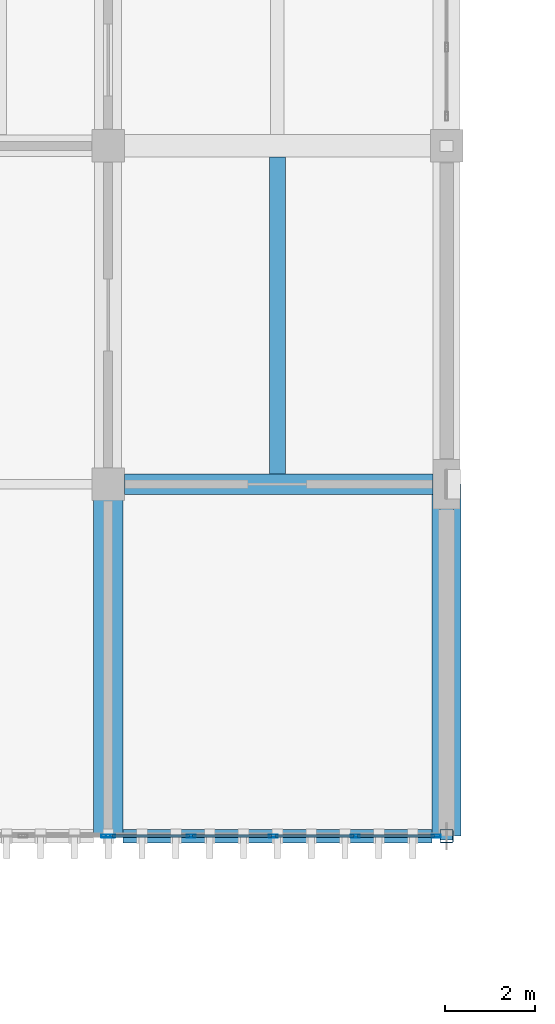
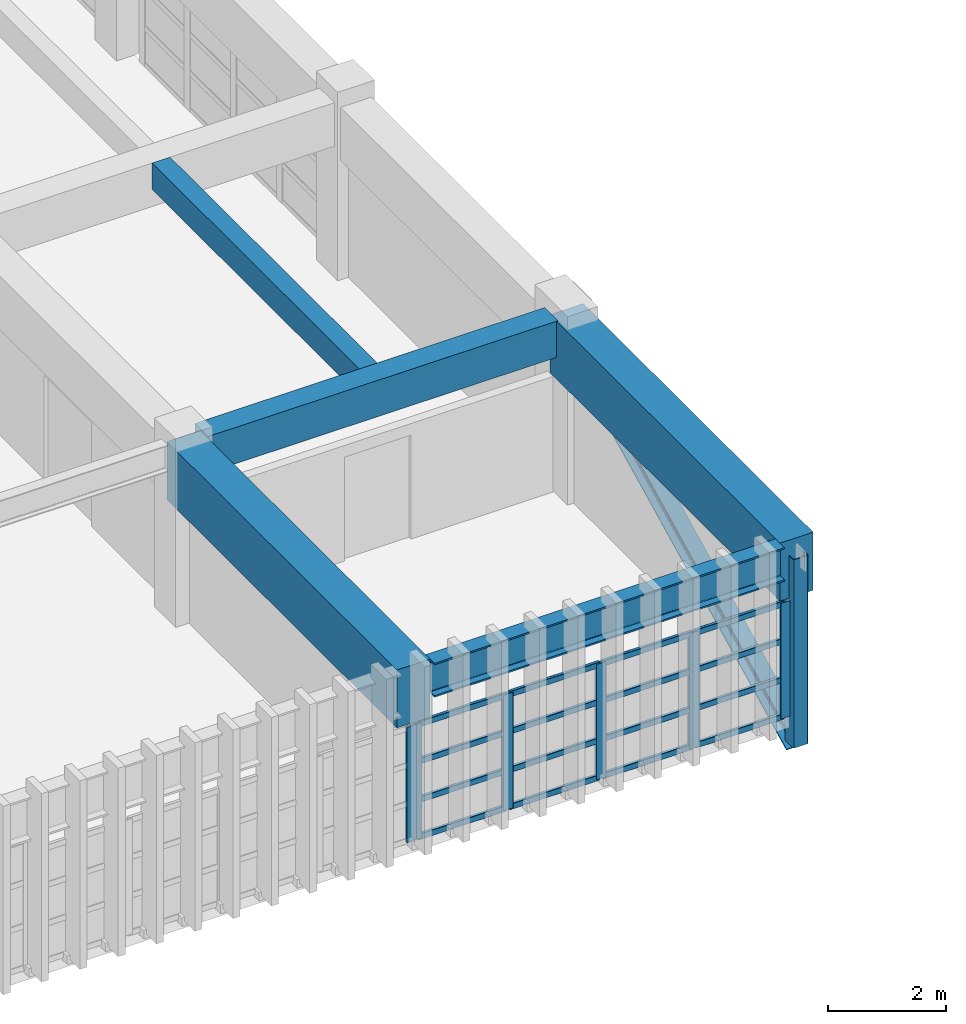
# One storey, part 45 of 101: 24 members, 5 beams, 2 elements without a shape of their own.
"""IFC4 building model written with IfcOpenShell, lengths in metres."""

from ifc_helpers import new_model, si_unit, direction, frame, origin, origin_2d, place, context, subcontext, project, spatial, rectangle, hollow_rectangle, i_section, extrude, material, material_profile, profile_set, type_object, element, aggregate, save


model = new_model("IFC4")

# Units and contexts
model_context = context("Model", 3, precision=1e-05, world=origin(), true_north=direction((0.0, 1.0)))
body_context = subcontext(model_context, "Body", "Model", "MODEL_VIEW")
ifc_project = project(units=[si_unit("LENGTHUNIT", "METRE"), si_unit("AREAUNIT", "SQUARE_METRE"), si_unit("VOLUMEUNIT", "CUBIC_METRE"), si_unit("PLANEANGLEUNIT", "RADIAN"), si_unit("MASSUNIT", "GRAM", prefix="KILO")], contexts=[model_context])

# Site, building, storey
site_placement = place(None, origin())
site = spatial("IfcSite", under=ifc_project, at=site_placement, CompositionType="ELEMENT")
building_placement = place(site_placement, origin())
building = spatial("IfcBuilding", under=site, at=building_placement, Name="Qasida Concert Hall", CompositionType="ELEMENT")
storey_placement = place(building_placement, frame((0.0, 0.0, 13.199951171875)))
storey = spatial("IfcBuildingStorey", under=building, at=storey_placement, Name="L03", CompositionType="ELEMENT", Elevation=13.199951171875)

# Beams
ifc_material_1 = material(Name="Steel S355J2", Category="steel")
ifc_material_profile_1 = material_profile(ifc_material_1, i_section(OverallWidth=0.300048828125, OverallDepth=0.699951171875, WebThickness=0.01708984375, FlangeThickness=0.031982421875, FilletRadius=0.027099609375, at=origin_2d()), Name="HEB 700")
ifc_profile_set_1 = profile_set([ifc_material_profile_1], Name="Steel S355J2")
beam_type_1 = type_object("IfcBeamType", Name="BM-B7", PredefinedType="BEAM", material=ifc_profile_set_1)
beam_1_placement = place(storey_placement, frame((97.824951171875, 14.699951171875, 3.27001953125), z_axis=(1.0, 0.0, 0.0), x_axis=(0.0, 1.0, 0.0)))
element("IfcBeam", 1, at=beam_1_placement, inside=storey, type_object=beam_type_1, Name="Front overhang fascia beam 021", PredefinedType="BEAM", context=body_context, shape_type="SweptSolid", body=[
    extrude(i_section(OverallWidth=0.300048828125, OverallDepth=0.699951171875, WebThickness=0.01708984375, FlangeThickness=0.031982421875, FilletRadius=0.027099609375, at=origin_2d()), origin(), (0.0, 0.0, 1.0), 6.85009765625),
])
ifc_material_2 = material(Name="Concrete C50/60", Category="concrete")
ifc_material_profile_2 = material_profile(ifc_material_2, rectangle(XDim=0.64990234375, YDim=1.199951171875, at=origin_2d()), Name="RC 650x1200")
ifc_profile_set_2 = profile_set([ifc_material_profile_2], Name="Concrete C50/60")
beam_type_2 = type_object("IfcBeamType", Name="BM-CG-1200", PredefinedType="USERDEFINED", material=ifc_profile_set_2)
for number, where, z_axis, x_axis, name in (
    (2, (97.5, 22.5, 3.02001953125), (0.0, -1.0, 0.0), (1.0, 0.0, 0.0), "Cantilever girder CG-017"),
    (3, (105.0, 22.5, 3.02001953125), (0.0, -1.0, 0.0), (1.0, 0.0, 0.0), "Cantilever girder CG-018"),
):
    element("IfcBeam", number, at=place(storey_placement, frame(where, z_axis=z_axis, x_axis=x_axis)), inside=storey, type_object=beam_type_2, Name=name, ObjectType="GIRDER", PredefinedType="USERDEFINED", context=body_context, shape_type="SweptSolid", body=[
        extrude(rectangle(XDim=0.64990234375, YDim=1.199951171875, at=origin_2d()), origin(), (0.0, 0.0, 1.0), 7.800048828125),
    ])
ifc_material_3 = material(Name="Concrete C40/50", Category="concrete")
ifc_material_profile_3 = material_profile(ifc_material_3, rectangle(XDim=0.35009765625, YDim=0.550048828125, at=origin_2d()), Name="RC 350x550")
ifc_profile_set_3 = profile_set([ifc_material_profile_3], Name="Concrete C40/50")
beam_type_3 = type_object("IfcBeamType", Name="BM-J8", PredefinedType="JOIST", material=ifc_profile_set_3)
beam_2_placement = place(storey_placement, frame((101.25, 22.72509765625, 3.344970703125), z_axis=(0.0, 1.0, 0.0), x_axis=(-1.0, 0.0, 0.0)))
element("IfcBeam", 4, at=beam_2_placement, inside=storey, type_object=beam_type_3, Name="L03 secondary joist 1591", PredefinedType="JOIST", context=body_context, shape_type="SweptSolid", body=[
    extrude(rectangle(XDim=0.35009765625, YDim=0.550048828125, at=origin_2d()), origin(), (0.0, 0.0, 1.0), 7.02490234375),
])
ifc_material_profile_4 = material_profile(ifc_material_3, rectangle(XDim=0.449951171875, YDim=0.75, at=origin_2d()), Name="RC 450x750")
ifc_profile_set_4 = profile_set([ifc_material_profile_4], Name="Concrete C40/50")
beam_type_4 = type_object("IfcBeamType", Name="BM-SP4", PredefinedType="SPANDREL", material=ifc_profile_set_4)
beam_3_placement = place(storey_placement, frame((97.860107421875, 22.5, 3.2451171875), z_axis=(1.0, 0.0, 0.0), x_axis=(0.0, 1.0, 0.0)))
element("IfcBeam", 5, at=beam_3_placement, inside=storey, type_object=beam_type_4, Name="Primary girder 1514", PredefinedType="SPANDREL", context=body_context, shape_type="SweptSolid", body=[
    extrude(rectangle(XDim=0.449951171875, YDim=0.75, at=origin_2d()), origin(), (0.0, 0.0, 1.0), 6.83984375),
])

# Member
ifc_material_profile_5 = material_profile(ifc_material_1, i_section(OverallWidth=0.300048828125, OverallDepth=0.39990234375, WebThickness=0.013427734375, FlangeThickness=0.02392578125, FilletRadius=0.027099609375, at=origin_2d()), Name="HEB 400")
ifc_profile_set_5 = profile_set([ifc_material_profile_5], Name="Steel S355J2")
member_type_1 = type_object("IfcMemberType", Name="MB-CH1", PredefinedType="CHORD", material=ifc_profile_set_5)
member_1_placement = place(storey_placement, frame((105.0, 22.5, 3.300048828125), z_axis=(0.0, -0.894432790058, -0.447202397208), x_axis=(1.0, 0.0, 0.0)))
element("IfcMember", 6, at=member_1_placement, inside=storey, type_object=member_type_1, Name="Wall truss diagonal WT-E-024", PredefinedType="CHORD", context=body_context, shape_type="SweptSolid", body=[
    extrude(i_section(OverallWidth=0.300048828125, OverallDepth=0.39990234375, WebThickness=0.013427734375, FlangeThickness=0.02392578125, FilletRadius=0.027099609375, at=origin_2d()), origin(), (0.0, 0.0, 1.0), 8.720703125),
])

# Curtain wall, member
ifc_material_4 = material(Name="Architectural bronze-anodized aluminium and low-E glass", Category="aluminium")
curtain_wall_type = type_object("IfcCurtainWallType", Name="CW-04", PredefinedType="NOTDEFINED", material=ifc_material_4)
curtain_wall_1_placement = place(storey_placement, origin())
curtain_wall_1 = element("IfcCurtainWall", 7, at=curtain_wall_1_placement, inside=storey, type_object=curtain_wall_type, Name="L03 curtain wall CW-04 0020", PredefinedType="NOTDEFINED")
ifc_material_5 = material(Name="Architectural bronze-anodized aluminium EN AW-6063", Category="aluminium")
ifc_material_profile_6 = material_profile(ifc_material_5, hollow_rectangle(XDim=0.06494140625, YDim=0.199951171875, WallThickness=0.0048828125, InnerFilletRadius=0.0048828125, OuterFilletRadius=0.010009765625, at=origin_2d()), Name="CWM 200x65x5")
ifc_profile_set_6 = profile_set([ifc_material_profile_6], Name="Architectural bronze-anodized aluminium EN AW-6063")
member_type_2 = type_object("IfcMemberType", Name="MB-CWM-2", PredefinedType="MULLION", material=ifc_profile_set_6)
member_2_placement = place(storey_placement, frame((97.447509765625, 14.699951171875, 0.0), z_axis=(0.0, 0.0, 1.0), x_axis=(0.0, 1.0, 0.0)))
member_2 = element("IfcMember", 8, at=member_2_placement, type_object=member_type_2, Name="CW-04 mullion 5", PredefinedType="MULLION", context=body_context, shape_type="SweptSolid", body=[
    extrude(hollow_rectangle(XDim=0.06494140625, YDim=0.199951171875, WallThickness=0.0048828125, InnerFilletRadius=0.0048828125, OuterFilletRadius=0.010009765625, at=origin_2d()), origin(), (0.0, 0.0, 1.0), 2.39013671875),
])
aggregate(curtain_wall_1, [member_2])

# Curtain wall, members
curtain_wall_2_placement = place(storey_placement, origin())
curtain_wall_2 = element("IfcCurtainWall", 9, at=curtain_wall_2_placement, inside=storey, type_object=curtain_wall_type, Name="L03 curtain wall CW-04 0021", PredefinedType="NOTDEFINED")
member_3_placement = place(storey_placement, frame((97.552490234375, 14.699951171875, 0.0), z_axis=(0.0, 0.0, 1.0), x_axis=(0.0, 1.0, 0.0)))
member_3 = element("IfcMember", 10, at=member_3_placement, type_object=member_type_2, Name="CW-04 mullion 1", PredefinedType="MULLION", context=body_context, shape_type="SweptSolid", body=[
    extrude(hollow_rectangle(XDim=0.06494140625, YDim=0.199951171875, WallThickness=0.0048828125, InnerFilletRadius=0.0048828125, OuterFilletRadius=0.010009765625, at=origin_2d()), origin(), (0.0, 0.0, 1.0), 2.39013671875),
])
member_4_placement = place(storey_placement, frame((99.340087890625, 14.699951171875, 0.0), z_axis=(0.0, 0.0, 1.0), x_axis=(0.0, 1.0, 0.0)))
member_4 = element("IfcMember", 11, at=member_4_placement, type_object=member_type_2, Name="CW-04 mullion 2", PredefinedType="MULLION", context=body_context, shape_type="SweptSolid", body=[
    extrude(hollow_rectangle(XDim=0.06494140625, YDim=0.199951171875, WallThickness=0.0048828125, InnerFilletRadius=0.0048828125, OuterFilletRadius=0.010009765625, at=origin_2d()), origin(), (0.0, 0.0, 1.0), 2.39013671875),
])
member_5_placement = place(storey_placement, frame((101.159912109375, 14.699951171875, 0.0), z_axis=(0.0, 0.0, 1.0), x_axis=(0.0, 1.0, 0.0)))
member_5 = element("IfcMember", 12, at=member_5_placement, type_object=member_type_2, Name="CW-04 mullion 3", PredefinedType="MULLION", context=body_context, shape_type="SweptSolid", body=[
    extrude(hollow_rectangle(XDim=0.06494140625, YDim=0.199951171875, WallThickness=0.0048828125, InnerFilletRadius=0.0048828125, OuterFilletRadius=0.010009765625, at=origin_2d()), origin(), (0.0, 0.0, 1.0), 2.39013671875),
])
member_6_placement = place(storey_placement, frame((102.97998046875, 14.699951171875, 0.0), z_axis=(0.0, 0.0, 1.0), x_axis=(0.0, 1.0, 0.0)))
member_6 = element("IfcMember", 13, at=member_6_placement, type_object=member_type_2, Name="CW-04 mullion 4", PredefinedType="MULLION", context=body_context, shape_type="SweptSolid", body=[
    extrude(hollow_rectangle(XDim=0.06494140625, YDim=0.199951171875, WallThickness=0.0048828125, InnerFilletRadius=0.0048828125, OuterFilletRadius=0.010009765625, at=origin_2d()), origin(), (0.0, 0.0, 1.0), 2.39013671875),
])
member_7_placement = place(storey_placement, frame((104.767578125, 14.699951171875, 0.0), z_axis=(0.0, 0.0, 1.0), x_axis=(0.0, 1.0, 0.0)))
member_7 = element("IfcMember", 14, at=member_7_placement, type_object=member_type_2, Name="CW-04 mullion 5", PredefinedType="MULLION", context=body_context, shape_type="SweptSolid", body=[
    extrude(hollow_rectangle(XDim=0.06494140625, YDim=0.199951171875, WallThickness=0.0048828125, InnerFilletRadius=0.0048828125, OuterFilletRadius=0.010009765625, at=origin_2d()), origin(), (0.0, 0.0, 1.0), 2.39013671875),
])
ifc_material_profile_7 = material_profile(ifc_material_5, hollow_rectangle(XDim=0.06005859375, YDim=0.1201171875, WallThickness=0.00390625, InnerFilletRadius=0.00390625, OuterFilletRadius=0.008056640625, at=origin_2d()), Name="CWT 120x60x4")
ifc_profile_set_7 = profile_set([ifc_material_profile_7], Name="Architectural bronze-anodized aluminium EN AW-6063")
member_type_3 = type_object("IfcMemberType", Name="MB-CWT-2", PredefinedType="USERDEFINED", material=ifc_profile_set_7)
member_8_placement = place(storey_placement, frame((97.5849609375, 14.699951171875, 0.030029296875), z_axis=(1.0, 0.0, 0.0), x_axis=(0.0, 1.0, 0.0)))
member_8 = element("IfcMember", 15, at=member_8_placement, type_object=member_type_3, Name="CW-04 transom 1.1", ObjectType="TRANSOM", PredefinedType="USERDEFINED", context=body_context, shape_type="SweptSolid", body=[
    extrude(hollow_rectangle(XDim=0.06005859375, YDim=0.1201171875, WallThickness=0.00390625, InnerFilletRadius=0.00390625, OuterFilletRadius=0.008056640625, at=origin_2d()), origin(), (0.0, 0.0, 1.0), 1.72265625),
])
member_9_placement = place(storey_placement, frame((97.5849609375, 14.699951171875, 0.796630859375), z_axis=(1.0, 0.0, 0.0), x_axis=(0.0, 1.0, 0.0)))
member_9 = element("IfcMember", 16, at=member_9_placement, type_object=member_type_3, Name="CW-04 transom 1.2", ObjectType="TRANSOM", PredefinedType="USERDEFINED", context=body_context, shape_type="SweptSolid", body=[
    extrude(hollow_rectangle(XDim=0.06005859375, YDim=0.1201171875, WallThickness=0.00390625, InnerFilletRadius=0.00390625, OuterFilletRadius=0.008056640625, at=origin_2d()), origin(), (0.0, 0.0, 1.0), 1.72265625),
])
member_10_placement = place(storey_placement, frame((97.5849609375, 14.699951171875, 1.59326171875), z_axis=(1.0, 0.0, 0.0), x_axis=(0.0, 1.0, 0.0)))
member_10 = element("IfcMember", 17, at=member_10_placement, type_object=member_type_3, Name="CW-04 transom 1.3", ObjectType="TRANSOM", PredefinedType="USERDEFINED", context=body_context, shape_type="SweptSolid", body=[
    extrude(hollow_rectangle(XDim=0.06005859375, YDim=0.1201171875, WallThickness=0.00390625, InnerFilletRadius=0.00390625, OuterFilletRadius=0.008056640625, at=origin_2d()), origin(), (0.0, 0.0, 1.0), 1.72265625),
])
member_11_placement = place(storey_placement, frame((97.5849609375, 14.699951171875, 2.360107421875), z_axis=(1.0, 0.0, 0.0), x_axis=(0.0, 1.0, 0.0)))
member_11 = element("IfcMember", 18, at=member_11_placement, type_object=member_type_3, Name="CW-04 transom 1.4", ObjectType="TRANSOM", PredefinedType="USERDEFINED", context=body_context, shape_type="SweptSolid", body=[
    extrude(hollow_rectangle(XDim=0.06005859375, YDim=0.1201171875, WallThickness=0.00390625, InnerFilletRadius=0.00390625, OuterFilletRadius=0.008056640625, at=origin_2d()), origin(), (0.0, 0.0, 1.0), 1.72265625),
])
member_12_placement = place(storey_placement, frame((99.37255859375, 14.699951171875, 0.030029296875), z_axis=(1.0, 0.0, 0.0), x_axis=(0.0, 1.0, 0.0)))
member_12 = element("IfcMember", 19, at=member_12_placement, type_object=member_type_3, Name="CW-04 transom 2.1", ObjectType="TRANSOM", PredefinedType="USERDEFINED", context=body_context, shape_type="SweptSolid", body=[
    extrude(hollow_rectangle(XDim=0.06005859375, YDim=0.1201171875, WallThickness=0.00390625, InnerFilletRadius=0.00390625, OuterFilletRadius=0.008056640625, at=origin_2d()), origin(), (0.0, 0.0, 1.0), 1.7548828125),
])
member_13_placement = place(storey_placement, frame((99.37255859375, 14.699951171875, 0.796630859375), z_axis=(1.0, 0.0, 0.0), x_axis=(0.0, 1.0, 0.0)))
member_13 = element("IfcMember", 20, at=member_13_placement, type_object=member_type_3, Name="CW-04 transom 2.2", ObjectType="TRANSOM", PredefinedType="USERDEFINED", context=body_context, shape_type="SweptSolid", body=[
    extrude(hollow_rectangle(XDim=0.06005859375, YDim=0.1201171875, WallThickness=0.00390625, InnerFilletRadius=0.00390625, OuterFilletRadius=0.008056640625, at=origin_2d()), origin(), (0.0, 0.0, 1.0), 1.7548828125),
])
member_14_placement = place(storey_placement, frame((99.37255859375, 14.699951171875, 1.59326171875), z_axis=(1.0, 0.0, 0.0), x_axis=(0.0, 1.0, 0.0)))
member_14 = element("IfcMember", 21, at=member_14_placement, type_object=member_type_3, Name="CW-04 transom 2.3", ObjectType="TRANSOM", PredefinedType="USERDEFINED", context=body_context, shape_type="SweptSolid", body=[
    extrude(hollow_rectangle(XDim=0.06005859375, YDim=0.1201171875, WallThickness=0.00390625, InnerFilletRadius=0.00390625, OuterFilletRadius=0.008056640625, at=origin_2d()), origin(), (0.0, 0.0, 1.0), 1.7548828125),
])
member_15_placement = place(storey_placement, frame((99.37255859375, 14.699951171875, 2.360107421875), z_axis=(1.0, 0.0, 0.0), x_axis=(0.0, 1.0, 0.0)))
member_15 = element("IfcMember", 22, at=member_15_placement, type_object=member_type_3, Name="CW-04 transom 2.4", ObjectType="TRANSOM", PredefinedType="USERDEFINED", context=body_context, shape_type="SweptSolid", body=[
    extrude(hollow_rectangle(XDim=0.06005859375, YDim=0.1201171875, WallThickness=0.00390625, InnerFilletRadius=0.00390625, OuterFilletRadius=0.008056640625, at=origin_2d()), origin(), (0.0, 0.0, 1.0), 1.7548828125),
])
member_16_placement = place(storey_placement, frame((101.1923828125, 14.699951171875, 0.030029296875), z_axis=(1.0, 0.0, 0.0), x_axis=(0.0, 1.0, 0.0)))
member_16 = element("IfcMember", 23, at=member_16_placement, type_object=member_type_3, Name="CW-04 transom 3.1", ObjectType="TRANSOM", PredefinedType="USERDEFINED", context=body_context, shape_type="SweptSolid", body=[
    extrude(hollow_rectangle(XDim=0.06005859375, YDim=0.1201171875, WallThickness=0.00390625, InnerFilletRadius=0.00390625, OuterFilletRadius=0.008056640625, at=origin_2d()), origin(), (0.0, 0.0, 1.0), 1.755126953125),
])
member_17_placement = place(storey_placement, frame((101.1923828125, 14.699951171875, 0.796630859375), z_axis=(1.0, 0.0, 0.0), x_axis=(0.0, 1.0, 0.0)))
member_17 = element("IfcMember", 24, at=member_17_placement, type_object=member_type_3, Name="CW-04 transom 3.2", ObjectType="TRANSOM", PredefinedType="USERDEFINED", context=body_context, shape_type="SweptSolid", body=[
    extrude(hollow_rectangle(XDim=0.06005859375, YDim=0.1201171875, WallThickness=0.00390625, InnerFilletRadius=0.00390625, OuterFilletRadius=0.008056640625, at=origin_2d()), origin(), (0.0, 0.0, 1.0), 1.755126953125),
])
member_18_placement = place(storey_placement, frame((101.1923828125, 14.699951171875, 1.59326171875), z_axis=(1.0, 0.0, 0.0), x_axis=(0.0, 1.0, 0.0)))
member_18 = element("IfcMember", 25, at=member_18_placement, type_object=member_type_3, Name="CW-04 transom 3.3", ObjectType="TRANSOM", PredefinedType="USERDEFINED", context=body_context, shape_type="SweptSolid", body=[
    extrude(hollow_rectangle(XDim=0.06005859375, YDim=0.1201171875, WallThickness=0.00390625, InnerFilletRadius=0.00390625, OuterFilletRadius=0.008056640625, at=origin_2d()), origin(), (0.0, 0.0, 1.0), 1.755126953125),
])
member_19_placement = place(storey_placement, frame((101.1923828125, 14.699951171875, 2.360107421875), z_axis=(1.0, 0.0, 0.0), x_axis=(0.0, 1.0, 0.0)))
member_19 = element("IfcMember", 26, at=member_19_placement, type_object=member_type_3, Name="CW-04 transom 3.4", ObjectType="TRANSOM", PredefinedType="USERDEFINED", context=body_context, shape_type="SweptSolid", body=[
    extrude(hollow_rectangle(XDim=0.06005859375, YDim=0.1201171875, WallThickness=0.00390625, InnerFilletRadius=0.00390625, OuterFilletRadius=0.008056640625, at=origin_2d()), origin(), (0.0, 0.0, 1.0), 1.755126953125),
])
member_20_placement = place(storey_placement, frame((103.012451171875, 14.699951171875, 0.030029296875), z_axis=(1.0, 0.0, 0.0), x_axis=(0.0, 1.0, 0.0)))
member_20 = element("IfcMember", 27, at=member_20_placement, type_object=member_type_3, Name="CW-04 transom 4.1", ObjectType="TRANSOM", PredefinedType="USERDEFINED", context=body_context, shape_type="SweptSolid", body=[
    extrude(hollow_rectangle(XDim=0.06005859375, YDim=0.1201171875, WallThickness=0.00390625, InnerFilletRadius=0.00390625, OuterFilletRadius=0.008056640625, at=origin_2d()), origin(), (0.0, 0.0, 1.0), 1.72265625),
])
member_21_placement = place(storey_placement, frame((103.012451171875, 14.699951171875, 0.796630859375), z_axis=(1.0, 0.0, 0.0), x_axis=(0.0, 1.0, 0.0)))
member_21 = element("IfcMember", 28, at=member_21_placement, type_object=member_type_3, Name="CW-04 transom 4.2", ObjectType="TRANSOM", PredefinedType="USERDEFINED", context=body_context, shape_type="SweptSolid", body=[
    extrude(hollow_rectangle(XDim=0.06005859375, YDim=0.1201171875, WallThickness=0.00390625, InnerFilletRadius=0.00390625, OuterFilletRadius=0.008056640625, at=origin_2d()), origin(), (0.0, 0.0, 1.0), 1.72265625),
])
member_22_placement = place(storey_placement, frame((103.012451171875, 14.699951171875, 1.59326171875), z_axis=(1.0, 0.0, 0.0), x_axis=(0.0, 1.0, 0.0)))
member_22 = element("IfcMember", 29, at=member_22_placement, type_object=member_type_3, Name="CW-04 transom 4.3", ObjectType="TRANSOM", PredefinedType="USERDEFINED", context=body_context, shape_type="SweptSolid", body=[
    extrude(hollow_rectangle(XDim=0.06005859375, YDim=0.1201171875, WallThickness=0.00390625, InnerFilletRadius=0.00390625, OuterFilletRadius=0.008056640625, at=origin_2d()), origin(), (0.0, 0.0, 1.0), 1.72265625),
])
member_23_placement = place(storey_placement, frame((103.012451171875, 14.699951171875, 2.360107421875), z_axis=(1.0, 0.0, 0.0), x_axis=(0.0, 1.0, 0.0)))
member_23 = element("IfcMember", 30, at=member_23_placement, type_object=member_type_3, Name="CW-04 transom 4.4", ObjectType="TRANSOM", PredefinedType="USERDEFINED", context=body_context, shape_type="SweptSolid", body=[
    extrude(hollow_rectangle(XDim=0.06005859375, YDim=0.1201171875, WallThickness=0.00390625, InnerFilletRadius=0.00390625, OuterFilletRadius=0.008056640625, at=origin_2d()), origin(), (0.0, 0.0, 1.0), 1.72265625),
])
aggregate(curtain_wall_2, [member_3, member_4, member_5, member_6, member_7, member_8, member_9, member_10, member_11, member_12, member_13, member_14, member_15, member_16, member_17, member_18, member_19, member_20, member_21, member_22, member_23])

# Member
ifc_material_profile_8 = material_profile(ifc_material_1, hollow_rectangle(XDim=0.300048828125, YDim=0.300048828125, WallThickness=0.01611328125, InnerFilletRadius=0.01611328125, OuterFilletRadius=0.031982421875, at=origin_2d()), Name="SHS 300x300x16")
ifc_profile_set_8 = profile_set([ifc_material_profile_8], Name="Steel S355J2")
member_type_4 = type_object("IfcMemberType", Name="MB-ST4", PredefinedType="STRUT", material=ifc_profile_set_8)
member_24_placement = place(storey_placement, frame((105.0, 14.699951171875, -0.599853515625), z_axis=(0.0, 0.0, 1.0), x_axis=(1.0, 0.0, 0.0)))
element("IfcMember", 31, at=member_24_placement, inside=storey, type_object=member_type_4, Name="Wall truss post WT-E-023", PredefinedType="STRUT", context=body_context, shape_type="SweptSolid", body=[
    extrude(hollow_rectangle(XDim=0.300048828125, YDim=0.300048828125, WallThickness=0.01611328125, InnerFilletRadius=0.01611328125, OuterFilletRadius=0.031982421875, at=origin_2d()), origin(), (0.0, 0.0, 1.0), 3.89990234375),
])

save(model, "model.ifc")
